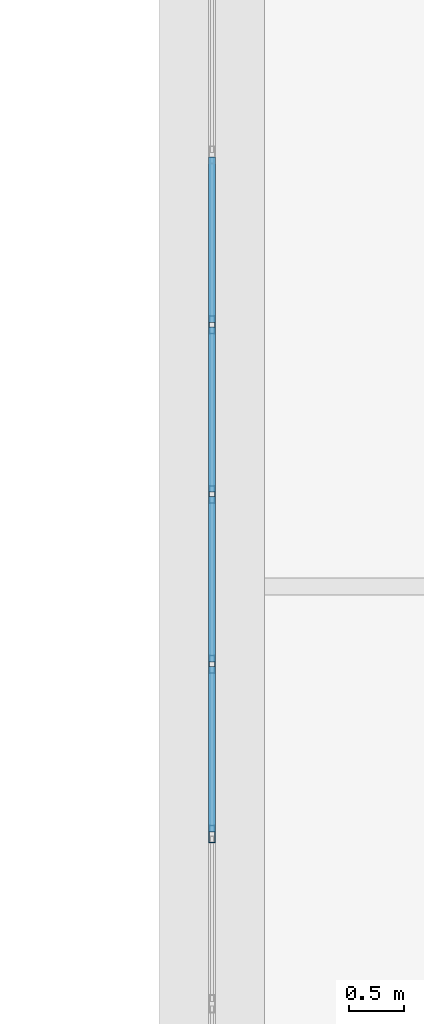
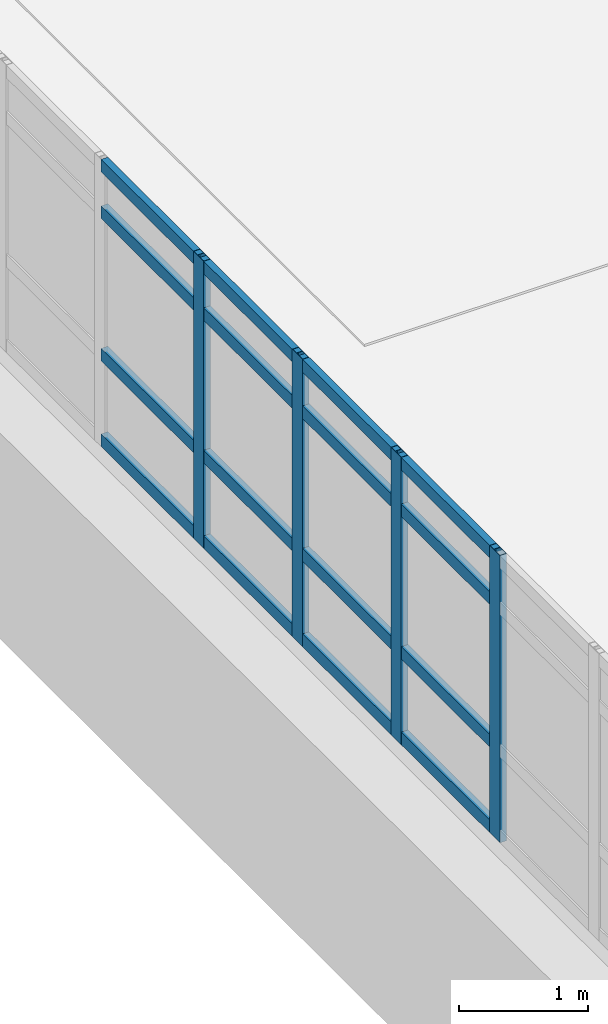
# One storey, part 45 of 161: 20 members, 1 element without a shape of its own.
"""IFC4 building model written with IfcOpenShell, lengths in metres."""

from ifc_helpers import new_model, si_unit, direction, frame, origin, origin_2d, place, context, subcontext, project, spatial, hollow_rectangle, extrude, material, layer, layer_set, material_profile, profile_set, type_object, element, aggregate, save


model = new_model("IFC4")

# Units and contexts
model_context = context("Model", 3, precision=1e-05, world=origin(), true_north=direction((0.0, 1.0)))
body_context = subcontext(model_context, "Body", "Model", "MODEL_VIEW")
ifc_project = project(units=[si_unit("LENGTHUNIT", "METRE"), si_unit("AREAUNIT", "SQUARE_METRE"), si_unit("VOLUMEUNIT", "CUBIC_METRE"), si_unit("PLANEANGLEUNIT", "RADIAN"), si_unit("MASSUNIT", "GRAM", prefix="KILO")], contexts=[model_context])

# Site, building, storey
site_placement = place(None, origin())
site = spatial("IfcSite", under=ifc_project, at=site_placement, CompositionType="ELEMENT")
building_placement = place(site_placement, origin())
building = spatial("IfcBuilding", under=site, at=building_placement, Name="Mersad Railyard Sports Hall", CompositionType="ELEMENT")
storey_placement = place(building_placement, frame((0.0, 0.0, 4.800048828125)))
storey = spatial("IfcBuildingStorey", under=building, at=storey_placement, Name="L01", CompositionType="ELEMENT", Elevation=4.800048828125)

# Curtain wall, members
ifc_material = material(Name="Aluminium 6063-T6", Category="aluminium")
ifc_layer = layer(ifc_material, 0.159912109375)
ifc_layer_set = layer_set([ifc_layer], Name="Aluminium 6063-T6")
curtain_wall_type = type_object("IfcCurtainWallType", Name="ARC-CW-CW05", PredefinedType="USERDEFINED", material=ifc_layer_set)
curtain_wall_placement = place(storey_placement, origin())
curtain_wall = element("IfcCurtainWall", 1, at=curtain_wall_placement, inside=storey, type_object=curtain_wall_type, Name="Curtain wall CW05-0027", ObjectType="CURTAIN WALL", PredefinedType="USERDEFINED")
ifc_material_profile_1 = material_profile(ifc_material, hollow_rectangle(XDim=0.06005859375, YDim=0.159912109375, WallThickness=0.00390625, at=origin_2d()), Name="AL MULLION 60x160x4")
ifc_profile_set_1 = profile_set([ifc_material_profile_1], Name="Aluminium 6063-T6")
member_type_1 = type_object("IfcMemberType", Name="ARC-CW-MUL01", PredefinedType="MULLION", material=ifc_profile_set_1)
member_1_placement = place(storey_placement, frame((91.0, 33.8623046875, -0.02001953125), z_axis=(0.0, 0.0, 1.0), x_axis=(1.0, 0.0, 0.0)))
member_1 = element("IfcMember", 2, at=member_1_placement, type_object=member_type_1, Name="CW05 Mullion 7", PredefinedType="MULLION", context=body_context, shape_type="SweptSolid", body=[
    extrude(hollow_rectangle(XDim=0.06005859375, YDim=0.159912109375, WallThickness=0.00390625, at=origin_2d()), origin(), (0.0, 0.0, 1.0), 2.719970703125),
])
member_2_placement = place(storey_placement, frame((91.0, 32.330322265625, -0.02001953125), z_axis=(0.0, 0.0, 1.0), x_axis=(1.0, 0.0, 0.0)))
member_2 = element("IfcMember", 3, at=member_2_placement, type_object=member_type_1, Name="CW05 Mullion 8", PredefinedType="MULLION", context=body_context, shape_type="SweptSolid", body=[
    extrude(hollow_rectangle(XDim=0.06005859375, YDim=0.159912109375, WallThickness=0.00390625, at=origin_2d()), origin(), (0.0, 0.0, 1.0), 2.719970703125),
])
member_3_placement = place(storey_placement, frame((91.0, 30.798095703125, -0.02001953125), z_axis=(0.0, 0.0, 1.0), x_axis=(1.0, 0.0, 0.0)))
member_3 = element("IfcMember", 4, at=member_3_placement, type_object=member_type_1, Name="CW05 Mullion 9", PredefinedType="MULLION", context=body_context, shape_type="SweptSolid", body=[
    extrude(hollow_rectangle(XDim=0.06005859375, YDim=0.159912109375, WallThickness=0.00390625, at=origin_2d()), origin(), (0.0, 0.0, 1.0), 2.719970703125),
])
member_4_placement = place(storey_placement, frame((91.0, 29.26611328125, -0.02001953125), z_axis=(0.0, 0.0, 1.0), x_axis=(1.0, 0.0, 0.0)))
member_4 = element("IfcMember", 5, at=member_4_placement, type_object=member_type_1, Name="CW05 Mullion 10", PredefinedType="MULLION", context=body_context, shape_type="SweptSolid", body=[
    extrude(hollow_rectangle(XDim=0.06005859375, YDim=0.159912109375, WallThickness=0.00390625, at=origin_2d()), origin(), (0.0, 0.0, 1.0), 2.719970703125),
])
ifc_material_profile_2 = material_profile(ifc_material, hollow_rectangle(XDim=0.06005859375, YDim=0.1201171875, WallThickness=0.00390625, at=origin_2d()), Name="AL TRANSOM 60x120x4")
ifc_profile_set_2 = profile_set([ifc_material_profile_2], Name="Aluminium 6063-T6")
member_type_2 = type_object("IfcMemberType", Name="ARC-CW-TRN01", PredefinedType="USERDEFINED", material=ifc_profile_set_2)
member_5_placement = place(storey_placement, frame((91.0, 35.37451171875, 0.0400390625), z_axis=(0.0, -1.0, 0.0), x_axis=(1.0, 0.0, 0.0)))
member_5 = element("IfcMember", 6, at=member_5_placement, type_object=member_type_2, Name="CW05 Transom 1-6", ObjectType="TRANSOM", PredefinedType="USERDEFINED", context=body_context, shape_type="SweptSolid", body=[
    extrude(hollow_rectangle(XDim=0.06005859375, YDim=0.1201171875, WallThickness=0.00390625, at=origin_2d()), origin(), (0.0, 0.0, 1.0), 1.4921875),
])
member_6_placement = place(storey_placement, frame((91.0, 33.84228515625, 0.0400390625), z_axis=(0.0, -1.0, 0.0), x_axis=(1.0, 0.0, 0.0)))
member_6 = element("IfcMember", 7, at=member_6_placement, type_object=member_type_2, Name="CW05 Transom 1-7", ObjectType="TRANSOM", PredefinedType="USERDEFINED", context=body_context, shape_type="SweptSolid", body=[
    extrude(hollow_rectangle(XDim=0.06005859375, YDim=0.1201171875, WallThickness=0.00390625, at=origin_2d()), origin(), (0.0, 0.0, 1.0), 1.491943359375),
])
member_7_placement = place(storey_placement, frame((91.0, 32.310302734375, 0.0400390625), z_axis=(0.0, -1.0, 0.0), x_axis=(1.0, 0.0, 0.0)))
member_7 = element("IfcMember", 8, at=member_7_placement, type_object=member_type_2, Name="CW05 Transom 1-8", ObjectType="TRANSOM", PredefinedType="USERDEFINED", context=body_context, shape_type="SweptSolid", body=[
    extrude(hollow_rectangle(XDim=0.06005859375, YDim=0.1201171875, WallThickness=0.00390625, at=origin_2d()), origin(), (0.0, 0.0, 1.0), 1.4921875),
])
member_8_placement = place(storey_placement, frame((91.0, 30.778076171875, 0.0400390625), z_axis=(0.0, -1.0, 0.0), x_axis=(1.0, 0.0, 0.0)))
member_8 = element("IfcMember", 9, at=member_8_placement, type_object=member_type_2, Name="CW05 Transom 1-9", ObjectType="TRANSOM", PredefinedType="USERDEFINED", context=body_context, shape_type="SweptSolid", body=[
    extrude(hollow_rectangle(XDim=0.06005859375, YDim=0.1201171875, WallThickness=0.00390625, at=origin_2d()), origin(), (0.0, 0.0, 1.0), 1.491943359375),
])
member_9_placement = place(storey_placement, frame((91.0, 35.37451171875, 0.849853515625), z_axis=(0.0, -1.0, 0.0), x_axis=(1.0, 0.0, 0.0)))
member_9 = element("IfcMember", 10, at=member_9_placement, type_object=member_type_2, Name="CW05 Transom 2-6", ObjectType="TRANSOM", PredefinedType="USERDEFINED", context=body_context, shape_type="SweptSolid", body=[
    extrude(hollow_rectangle(XDim=0.06005859375, YDim=0.1201171875, WallThickness=0.00390625, at=origin_2d()), origin(), (0.0, 0.0, 1.0), 1.4921875),
])
member_10_placement = place(storey_placement, frame((91.0, 33.84228515625, 0.849853515625), z_axis=(0.0, -1.0, 0.0), x_axis=(1.0, 0.0, 0.0)))
member_10 = element("IfcMember", 11, at=member_10_placement, type_object=member_type_2, Name="CW05 Transom 2-7", ObjectType="TRANSOM", PredefinedType="USERDEFINED", context=body_context, shape_type="SweptSolid", body=[
    extrude(hollow_rectangle(XDim=0.06005859375, YDim=0.1201171875, WallThickness=0.00390625, at=origin_2d()), origin(), (0.0, 0.0, 1.0), 1.491943359375),
])
member_11_placement = place(storey_placement, frame((91.0, 32.310302734375, 0.849853515625), z_axis=(0.0, -1.0, 0.0), x_axis=(1.0, 0.0, 0.0)))
member_11 = element("IfcMember", 12, at=member_11_placement, type_object=member_type_2, Name="CW05 Transom 2-8", ObjectType="TRANSOM", PredefinedType="USERDEFINED", context=body_context, shape_type="SweptSolid", body=[
    extrude(hollow_rectangle(XDim=0.06005859375, YDim=0.1201171875, WallThickness=0.00390625, at=origin_2d()), origin(), (0.0, 0.0, 1.0), 1.4921875),
])
member_12_placement = place(storey_placement, frame((91.0, 30.778076171875, 0.849853515625), z_axis=(0.0, -1.0, 0.0), x_axis=(1.0, 0.0, 0.0)))
member_12 = element("IfcMember", 13, at=member_12_placement, type_object=member_type_2, Name="CW05 Transom 2-9", ObjectType="TRANSOM", PredefinedType="USERDEFINED", context=body_context, shape_type="SweptSolid", body=[
    extrude(hollow_rectangle(XDim=0.06005859375, YDim=0.1201171875, WallThickness=0.00390625, at=origin_2d()), origin(), (0.0, 0.0, 1.0), 1.491943359375),
])
member_13_placement = place(storey_placement, frame((91.0, 35.37451171875, 2.199951171875), z_axis=(0.0, -1.0, 0.0), x_axis=(1.0, 0.0, 0.0)))
member_13 = element("IfcMember", 14, at=member_13_placement, type_object=member_type_2, Name="CW05 Transom 3-6", ObjectType="TRANSOM", PredefinedType="USERDEFINED", context=body_context, shape_type="SweptSolid", body=[
    extrude(hollow_rectangle(XDim=0.06005859375, YDim=0.1201171875, WallThickness=0.00390625, at=origin_2d()), origin(), (0.0, 0.0, 1.0), 1.4921875),
])
member_14_placement = place(storey_placement, frame((91.0, 33.84228515625, 2.199951171875), z_axis=(0.0, -1.0, 0.0), x_axis=(1.0, 0.0, 0.0)))
member_14 = element("IfcMember", 15, at=member_14_placement, type_object=member_type_2, Name="CW05 Transom 3-7", ObjectType="TRANSOM", PredefinedType="USERDEFINED", context=body_context, shape_type="SweptSolid", body=[
    extrude(hollow_rectangle(XDim=0.06005859375, YDim=0.1201171875, WallThickness=0.00390625, at=origin_2d()), origin(), (0.0, 0.0, 1.0), 1.491943359375),
])
member_15_placement = place(storey_placement, frame((91.0, 32.310302734375, 2.199951171875), z_axis=(0.0, -1.0, 0.0), x_axis=(1.0, 0.0, 0.0)))
member_15 = element("IfcMember", 16, at=member_15_placement, type_object=member_type_2, Name="CW05 Transom 3-8", ObjectType="TRANSOM", PredefinedType="USERDEFINED", context=body_context, shape_type="SweptSolid", body=[
    extrude(hollow_rectangle(XDim=0.06005859375, YDim=0.1201171875, WallThickness=0.00390625, at=origin_2d()), origin(), (0.0, 0.0, 1.0), 1.4921875),
])
member_16_placement = place(storey_placement, frame((91.0, 30.778076171875, 2.199951171875), z_axis=(0.0, -1.0, 0.0), x_axis=(1.0, 0.0, 0.0)))
member_16 = element("IfcMember", 17, at=member_16_placement, type_object=member_type_2, Name="CW05 Transom 3-9", ObjectType="TRANSOM", PredefinedType="USERDEFINED", context=body_context, shape_type="SweptSolid", body=[
    extrude(hollow_rectangle(XDim=0.06005859375, YDim=0.1201171875, WallThickness=0.00390625, at=origin_2d()), origin(), (0.0, 0.0, 1.0), 1.491943359375),
])
member_17_placement = place(storey_placement, frame((91.0, 35.37451171875, 2.639892578125), z_axis=(0.0, -1.0, 0.0), x_axis=(1.0, 0.0, 0.0)))
member_17 = element("IfcMember", 18, at=member_17_placement, type_object=member_type_2, Name="CW05 Transom 4-6", ObjectType="TRANSOM", PredefinedType="USERDEFINED", context=body_context, shape_type="SweptSolid", body=[
    extrude(hollow_rectangle(XDim=0.06005859375, YDim=0.1201171875, WallThickness=0.00390625, at=origin_2d()), origin(), (0.0, 0.0, 1.0), 1.4921875),
])
member_18_placement = place(storey_placement, frame((91.0, 33.84228515625, 2.639892578125), z_axis=(0.0, -1.0, 0.0), x_axis=(1.0, 0.0, 0.0)))
member_18 = element("IfcMember", 19, at=member_18_placement, type_object=member_type_2, Name="CW05 Transom 4-7", ObjectType="TRANSOM", PredefinedType="USERDEFINED", context=body_context, shape_type="SweptSolid", body=[
    extrude(hollow_rectangle(XDim=0.06005859375, YDim=0.1201171875, WallThickness=0.00390625, at=origin_2d()), origin(), (0.0, 0.0, 1.0), 1.491943359375),
])
member_19_placement = place(storey_placement, frame((91.0, 32.310302734375, 2.639892578125), z_axis=(0.0, -1.0, 0.0), x_axis=(1.0, 0.0, 0.0)))
member_19 = element("IfcMember", 20, at=member_19_placement, type_object=member_type_2, Name="CW05 Transom 4-8", ObjectType="TRANSOM", PredefinedType="USERDEFINED", context=body_context, shape_type="SweptSolid", body=[
    extrude(hollow_rectangle(XDim=0.06005859375, YDim=0.1201171875, WallThickness=0.00390625, at=origin_2d()), origin(), (0.0, 0.0, 1.0), 1.4921875),
])
member_20_placement = place(storey_placement, frame((91.0, 30.778076171875, 2.639892578125), z_axis=(0.0, -1.0, 0.0), x_axis=(1.0, 0.0, 0.0)))
member_20 = element("IfcMember", 21, at=member_20_placement, type_object=member_type_2, Name="CW05 Transom 4-9", ObjectType="TRANSOM", PredefinedType="USERDEFINED", context=body_context, shape_type="SweptSolid", body=[
    extrude(hollow_rectangle(XDim=0.06005859375, YDim=0.1201171875, WallThickness=0.00390625, at=origin_2d()), origin(), (0.0, 0.0, 1.0), 1.491943359375),
])
aggregate(curtain_wall, [member_1, member_2, member_3, member_4, member_5, member_6, member_7, member_8, member_9, member_10, member_11, member_12, member_13, member_14, member_15, member_16, member_17, member_18, member_19, member_20])

save(model, "model.ifc")
